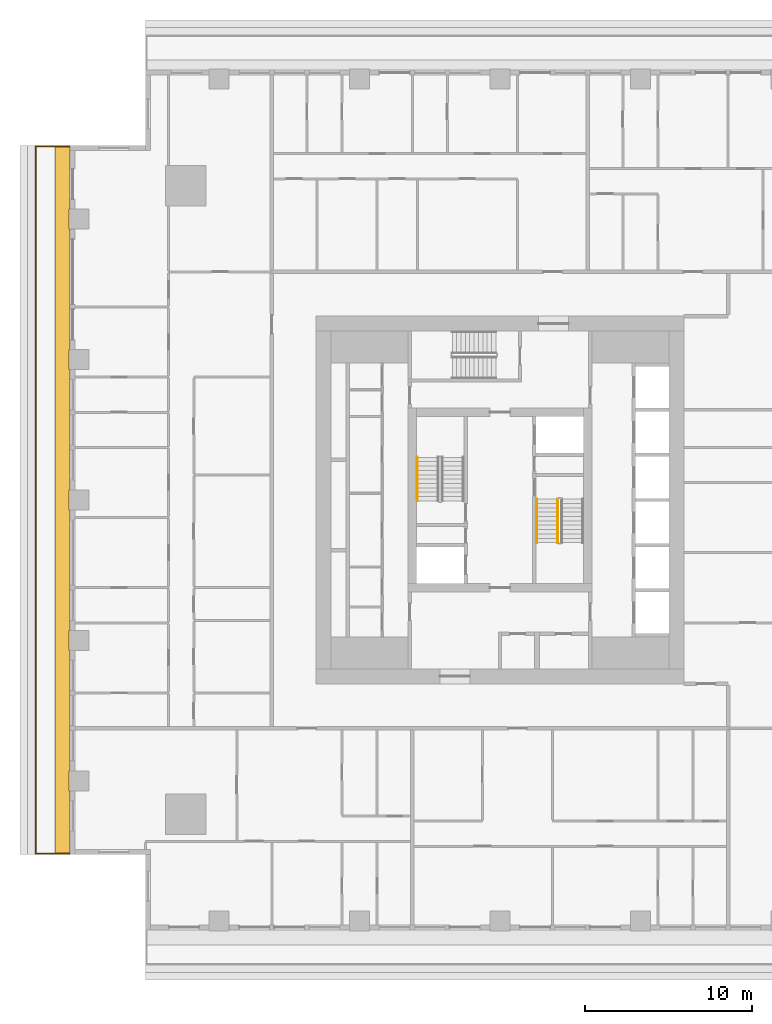
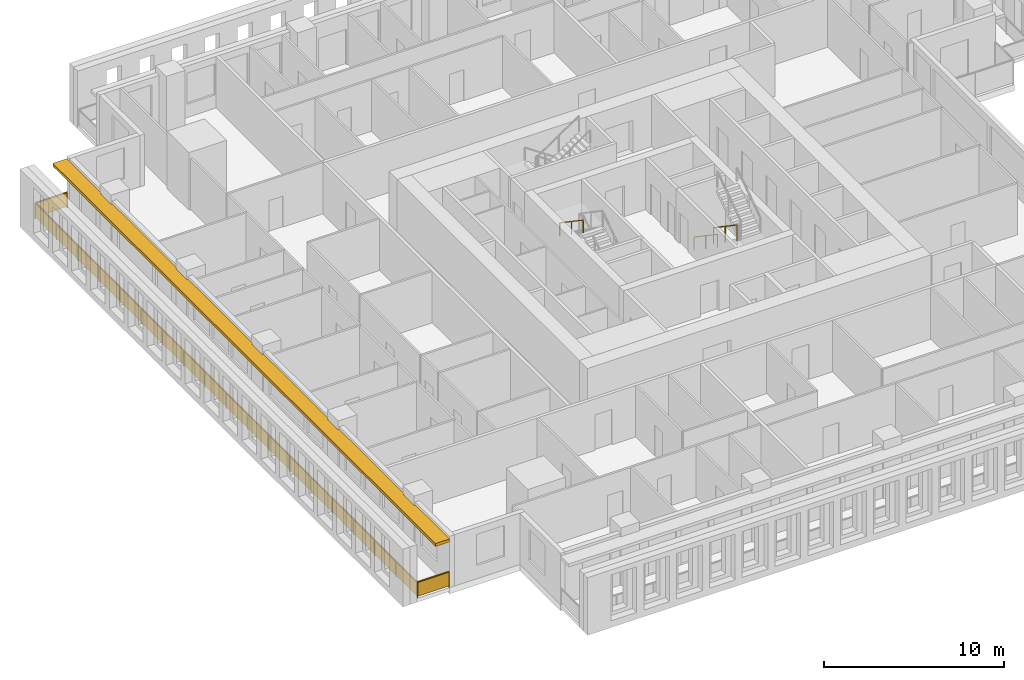
# One storey, part 12 of 16: 4 railings, 1 shading device.
"""IFC4 building model written with IfcOpenShell, lengths in metres."""

from ifc_helpers import new_model, si_unit, direction, frame, origin, origin_2d, place, context, subcontext, project, spatial, polyline, rectangle, outline, extrude, material, layer, layer_set, type_object, element, save


model = new_model("IFC4")

# Units and contexts
model_context = context("Model", 3, precision=1e-05, world=origin(), true_north=direction((0.0, 1.0)))
body_context = subcontext(model_context, "Body", "Model", "MODEL_VIEW")
ifc_project = project(units=[si_unit("LENGTHUNIT", "METRE"), si_unit("AREAUNIT", "SQUARE_METRE"), si_unit("VOLUMEUNIT", "CUBIC_METRE"), si_unit("PLANEANGLEUNIT", "RADIAN"), si_unit("MASSUNIT", "GRAM", prefix="KILO")], contexts=[model_context])

# Site, building, storey
site_placement = place(None, origin())
site = spatial("IfcSite", under=ifc_project, at=site_placement, CompositionType="ELEMENT")
building_placement = place(site_placement, origin())
building = spatial("IfcBuilding", under=site, at=building_placement, Name="Khepri Terraces", CompositionType="ELEMENT")
storey_placement = place(building_placement, frame((0.0, 0.0, 204.0)))
storey = spatial("IfcBuildingStorey", under=building, at=storey_placement, Name="L48", CompositionType="ELEMENT", Elevation=204.0)

# Railings
ifc_material_1 = material(Name="Stainless steel grade 316", Category="steel")
railing_type_1 = type_object("IfcRailingType", Name="GRD-BAL-1100", PredefinedType="GUARDRAIL", material=ifc_material_1)
railing_1_placement = place(storey_placement, frame((-25.719970703125, 21.169921875, 0.0)))
element("IfcRailing", 1, at=railing_1_placement, inside=storey, type_object=railing_type_1, Name="Balcony guard L48 W", PredefinedType="GUARDRAIL", context=body_context, shape_type="SweptSolid", body=[
    extrude(rectangle(XDim=0.050048828125, YDim=0.06005859375, at=origin_2d()), frame((0.0, 0.0, 1.070068359375), z_axis=(-1.0, 0.0, 0.0), x_axis=(0.0, -1.0, 0.0)), (0.0, 0.0, 1.0), 2.050048828125),
    extrude(rectangle(XDim=2.0, YDim=0.011962890625, at=origin_2d()), frame((-1.02490234375, 0.0, 0.10009765625), z_axis=(0.0, 0.0, 1.0), x_axis=(-1.0, 0.0, 0.0)), (0.0, 0.0, 1.0), 0.93994140625),
    extrude(rectangle(XDim=0.050048828125, YDim=0.06005859375, at=origin_2d()), frame((-2.050048828125, 0.0, 1.070068359375), z_axis=(0.0, -1.0, 0.0), x_axis=(1.0, 0.0, 0.0)), (0.0, 0.0, 1.0), 42.33984375),
    extrude(rectangle(XDim=2.30224609375, YDim=0.011962890625, at=origin_2d()), frame((-2.050048828125, -1.176025390625, 0.10009765625), z_axis=(0.0, 0.0, 1.0), x_axis=(0.0, -1.0, 0.0)), (0.0, 0.0, 1.0), 0.93994140625),
    extrude(rectangle(XDim=2.30224609375, YDim=0.011962890625, at=origin_2d()), frame((-2.050048828125, -3.5283203125, 0.10009765625), z_axis=(0.0, 0.0, 1.0), x_axis=(0.0, -1.0, 0.0)), (0.0, 0.0, 1.0), 0.93994140625),
    extrude(rectangle(XDim=2.30224609375, YDim=0.011962890625, at=origin_2d()), frame((-2.050048828125, -5.880615234375, 0.10009765625), z_axis=(0.0, 0.0, 1.0), x_axis=(0.0, -1.0, 0.0)), (0.0, 0.0, 1.0), 0.93994140625),
    extrude(rectangle(XDim=2.30224609375, YDim=0.011962890625, at=origin_2d()), frame((-2.050048828125, -8.232666015625, 0.10009765625), z_axis=(0.0, 0.0, 1.0), x_axis=(0.0, -1.0, 0.0)), (0.0, 0.0, 1.0), 0.93994140625),
    extrude(rectangle(XDim=2.30224609375, YDim=0.011962890625, at=origin_2d()), frame((-2.050048828125, -10.5849609375, 0.10009765625), z_axis=(0.0, 0.0, 1.0), x_axis=(0.0, -1.0, 0.0)), (0.0, 0.0, 1.0), 0.93994140625),
    extrude(rectangle(XDim=2.30224609375, YDim=0.011962890625, at=origin_2d()), frame((-2.050048828125, -12.937255859375, 0.10009765625), z_axis=(0.0, 0.0, 1.0), x_axis=(0.0, -1.0, 0.0)), (0.0, 0.0, 1.0), 0.93994140625),
    extrude(rectangle(XDim=2.30224609375, YDim=0.011962890625, at=origin_2d()), frame((-2.050048828125, -15.289306640625, 0.10009765625), z_axis=(0.0, 0.0, 1.0), x_axis=(0.0, -1.0, 0.0)), (0.0, 0.0, 1.0), 0.93994140625),
    extrude(rectangle(XDim=2.30224609375, YDim=0.011962890625, at=origin_2d()), frame((-2.050048828125, -17.6416015625, 0.10009765625), z_axis=(0.0, 0.0, 1.0), x_axis=(0.0, -1.0, 0.0)), (0.0, 0.0, 1.0), 0.93994140625),
    extrude(rectangle(XDim=2.30224609375, YDim=0.011962890625, at=origin_2d()), frame((-2.050048828125, -19.993896484375, 0.10009765625), z_axis=(0.0, 0.0, 1.0), x_axis=(0.0, -1.0, 0.0)), (0.0, 0.0, 1.0), 0.93994140625),
    extrude(rectangle(XDim=2.30224609375, YDim=0.011962890625, at=origin_2d()), frame((-2.050048828125, -22.345947265625, 0.10009765625), z_axis=(0.0, 0.0, 1.0), x_axis=(0.0, -1.0, 0.0)), (0.0, 0.0, 1.0), 0.93994140625),
    extrude(rectangle(XDim=2.30224609375, YDim=0.011962890625, at=origin_2d()), frame((-2.050048828125, -24.6982421875, 0.10009765625), z_axis=(0.0, 0.0, 1.0), x_axis=(0.0, -1.0, 0.0)), (0.0, 0.0, 1.0), 0.93994140625),
    extrude(rectangle(XDim=2.30224609375, YDim=0.011962890625, at=origin_2d()), frame((-2.050048828125, -27.050537109375, 0.10009765625), z_axis=(0.0, 0.0, 1.0), x_axis=(0.0, -1.0, 0.0)), (0.0, 0.0, 1.0), 0.93994140625),
    extrude(rectangle(XDim=2.30224609375, YDim=0.011962890625, at=origin_2d()), frame((-2.050048828125, -29.402587890625, 0.10009765625), z_axis=(0.0, 0.0, 1.0), x_axis=(0.0, -1.0, 0.0)), (0.0, 0.0, 1.0), 0.93994140625),
    extrude(rectangle(XDim=2.30224609375, YDim=0.011962890625, at=origin_2d()), frame((-2.050048828125, -31.7548828125, 0.10009765625), z_axis=(0.0, 0.0, 1.0), x_axis=(0.0, -1.0, 0.0)), (0.0, 0.0, 1.0), 0.93994140625),
    extrude(rectangle(XDim=2.30224609375, YDim=0.011962890625, at=origin_2d()), frame((-2.050048828125, -34.107177734375, 0.10009765625), z_axis=(0.0, 0.0, 1.0), x_axis=(0.0, -1.0, 0.0)), (0.0, 0.0, 1.0), 0.93994140625),
    extrude(rectangle(XDim=2.30224609375, YDim=0.011962890625, at=origin_2d()), frame((-2.050048828125, -36.459228515625, 0.10009765625), z_axis=(0.0, 0.0, 1.0), x_axis=(0.0, -1.0, 0.0)), (0.0, 0.0, 1.0), 0.93994140625),
    extrude(rectangle(XDim=2.30224609375, YDim=0.011962890625, at=origin_2d()), frame((-2.050048828125, -38.8115234375, 0.10009765625), z_axis=(0.0, 0.0, 1.0), x_axis=(0.0, -1.0, 0.0)), (0.0, 0.0, 1.0), 0.93994140625),
    extrude(rectangle(XDim=2.30224609375, YDim=0.011962890625, at=origin_2d()), frame((-2.050048828125, -41.163818359375, 0.10009765625), z_axis=(0.0, 0.0, 1.0), x_axis=(0.0, -1.0, 0.0)), (0.0, 0.0, 1.0), 0.93994140625),
    extrude(rectangle(XDim=0.050048828125, YDim=0.06005859375, at=origin_2d()), frame((-2.050048828125, -42.33984375, 1.070068359375), z_axis=(1.0, 0.0, 0.0), x_axis=(0.0, 1.0, 0.0)), (0.0, 0.0, 1.0), 2.050048828125),
    extrude(rectangle(XDim=2.0, YDim=0.011962890625, at=origin_2d()), frame((-1.02490234375, -42.33984375, 0.10009765625), z_axis=(0.0, 0.0, 1.0), x_axis=(1.0, 0.0, 0.0)), (0.0, 0.0, 1.0), 0.93994140625),
    extrude(rectangle(XDim=0.050048828125, YDim=0.050048828125, at=origin_2d()), origin(), (0.0, 0.0, 1.0), 1.0400390625),
    extrude(rectangle(XDim=0.050048828125, YDim=0.050048828125, at=origin_2d()), frame((-2.050048828125, 0.0, 0.0)), (0.0, 0.0, 1.0), 1.0400390625),
    extrude(rectangle(XDim=0.050048828125, YDim=0.050048828125, at=origin_2d()), frame((-2.050048828125, -2.352294921875, 0.0)), (0.0, 0.0, 1.0), 1.0400390625),
    extrude(rectangle(XDim=0.050048828125, YDim=0.050048828125, at=origin_2d()), frame((-2.050048828125, -4.704345703125, 0.0)), (0.0, 0.0, 1.0), 1.0400390625),
    extrude(rectangle(XDim=0.050048828125, YDim=0.050048828125, at=origin_2d()), frame((-2.050048828125, -7.056640625, 0.0)), (0.0, 0.0, 1.0), 1.0400390625),
    extrude(rectangle(XDim=0.050048828125, YDim=0.050048828125, at=origin_2d()), frame((-2.050048828125, -9.408935546875, 0.0)), (0.0, 0.0, 1.0), 1.0400390625),
    extrude(rectangle(XDim=0.050048828125, YDim=0.050048828125, at=origin_2d()), frame((-2.050048828125, -11.760986328125, 0.0)), (0.0, 0.0, 1.0), 1.0400390625),
    extrude(rectangle(XDim=0.050048828125, YDim=0.050048828125, at=origin_2d()), frame((-2.050048828125, -14.11328125, 0.0)), (0.0, 0.0, 1.0), 1.0400390625),
    extrude(rectangle(XDim=0.050048828125, YDim=0.050048828125, at=origin_2d()), frame((-2.050048828125, -16.465576171875, 0.0)), (0.0, 0.0, 1.0), 1.0400390625),
    extrude(rectangle(XDim=0.050048828125, YDim=0.050048828125, at=origin_2d()), frame((-2.050048828125, -18.817626953125, 0.0)), (0.0, 0.0, 1.0), 1.0400390625),
    extrude(rectangle(XDim=0.050048828125, YDim=0.050048828125, at=origin_2d()), frame((-2.050048828125, -21.169921875, 0.0)), (0.0, 0.0, 1.0), 1.0400390625),
    extrude(rectangle(XDim=0.050048828125, YDim=0.050048828125, at=origin_2d()), frame((-2.050048828125, -23.522216796875, 0.0)), (0.0, 0.0, 1.0), 1.0400390625),
    extrude(rectangle(XDim=0.050048828125, YDim=0.050048828125, at=origin_2d()), frame((-2.050048828125, -25.874267578125, 0.0)), (0.0, 0.0, 1.0), 1.0400390625),
    extrude(rectangle(XDim=0.050048828125, YDim=0.050048828125, at=origin_2d()), frame((-2.050048828125, -28.2265625, 0.0)), (0.0, 0.0, 1.0), 1.0400390625),
    extrude(rectangle(XDim=0.050048828125, YDim=0.050048828125, at=origin_2d()), frame((-2.050048828125, -30.578857421875, 0.0)), (0.0, 0.0, 1.0), 1.0400390625),
    extrude(rectangle(XDim=0.050048828125, YDim=0.050048828125, at=origin_2d()), frame((-2.050048828125, -32.930908203125, 0.0)), (0.0, 0.0, 1.0), 1.0400390625),
    extrude(rectangle(XDim=0.050048828125, YDim=0.050048828125, at=origin_2d()), frame((-2.050048828125, -35.283203125, 0.0)), (0.0, 0.0, 1.0), 1.0400390625),
    extrude(rectangle(XDim=0.050048828125, YDim=0.050048828125, at=origin_2d()), frame((-2.050048828125, -37.635498046875, 0.0)), (0.0, 0.0, 1.0), 1.0400390625),
    extrude(rectangle(XDim=0.050048828125, YDim=0.050048828125, at=origin_2d()), frame((-2.050048828125, -39.987548828125, 0.0)), (0.0, 0.0, 1.0), 1.0400390625),
    extrude(rectangle(XDim=0.050048828125, YDim=0.050048828125, at=origin_2d()), frame((-2.050048828125, -42.33984375, 0.0)), (0.0, 0.0, 1.0), 1.0400390625),
    extrude(rectangle(XDim=0.050048828125, YDim=0.050048828125, at=origin_2d()), frame((0.0, -42.33984375, 0.0)), (0.0, 0.0, 1.0), 1.0400390625),
])
ifc_material_2 = material(Name="Stainless steel 316", Category="steel")
railing_type_2 = type_object("IfcRailingType", Name="RL-CORE-GUARD", PredefinedType="GUARDRAIL", material=ifc_material_2)
railing_2_placement = place(storey_placement, frame((3.449951171875, 0.050048828125, 0.17724609375)))
element("IfcRailing", 2, at=railing_2_placement, inside=storey, type_object=railing_type_2, Name="L48 ST-2 stair guard 1", PredefinedType="GUARDRAIL", context=body_context, shape_type="SweptSolid", body=[
    extrude(rectangle(XDim=0.050048828125, YDim=0.06005859375, at=origin_2d()), frame((0.0, 0.0, 1.070068359375), z_axis=(0.0, -0.826240473404, 0.563317565952), x_axis=(1.0, 0.0, 0.0)), (0.0, 0.0, 1.0), 3.14697265625),
    extrude(rectangle(XDim=0.050048828125, YDim=0.050048828125, at=origin_2d()), origin(), (0.0, 0.0, 1.0), 1.0400390625),
    extrude(rectangle(XDim=0.050048828125, YDim=0.050048828125, at=origin_2d()), frame((0.0, -1.300048828125, 0.88623046875)), (0.0, 0.0, 1.0), 1.0400390625),
    extrude(rectangle(XDim=0.050048828125, YDim=0.050048828125, at=origin_2d()), frame((0.0, -2.60009765625, 1.772705078125)), (0.0, 0.0, 1.0), 1.0400390625),
])
railing_type_3 = type_object("IfcRailingType", Name="RL-CORE-HANDRAIL", PredefinedType="HANDRAIL", material=ifc_material_2)
for number, where, name in (
    (3, (-4.949951171875, 2.550048828125, 2.127197265625), "L48 ST-1 stair handrail 2"),
    (4, (2.199951171875, 0.050048828125, 0.17724609375), "L48 ST-2 stair handrail 1"),
):
    element("IfcRailing", number, at=place(storey_placement, frame(where)), inside=storey, type_object=railing_type_3, Name=name, PredefinedType="HANDRAIL", context=body_context, shape_type="SweptSolid", body=[
        extrude(rectangle(XDim=0.050048828125, YDim=0.050048828125, at=origin_2d()), frame((0.0, 0.0, 0.875), z_axis=(0.0, -0.826240473404, 0.563317565952), x_axis=(1.0, 0.0, 0.0)), (0.0, 0.0, 1.0), 3.14697265625),
        extrude(rectangle(XDim=0.050048828125, YDim=0.050048828125, at=origin_2d()), origin(), (0.0, 0.0, 1.0), 0.849853515625),
        extrude(rectangle(XDim=0.050048828125, YDim=0.050048828125, at=origin_2d()), frame((0.0, -1.300048828125, 0.88623046875)), (0.0, 0.0, 1.0), 0.849853515625),
        extrude(rectangle(XDim=0.050048828125, YDim=0.050048828125, at=origin_2d()), frame((0.0, -2.60009765625, 1.772705078125)), (0.0, 0.0, 1.0), 0.849853515625),
    ])

# Shading device
ifc_material_3 = material(Name="Precast concrete C50/60 warm stone", Category="masonry")
ifc_layer = layer(ifc_material_3, 0.199951171875, Name="Precast concrete C50/60 warm stone", Category="masonry")
ifc_layer_set = layer_set([ifc_layer], Name="Precast concrete C50/60 warm stone")
shading_device_type = type_object("IfcShadingDeviceType", Name="SSH-BAND-STONE-200", PredefinedType="USERDEFINED", material=ifc_layer_set)
shading_device_placement = place(storey_placement, frame((0.0, 0.0, 3.10009765625)))
element("IfcShadingDevice", 5, at=shading_device_placement, inside=storey, type_object=shading_device_type, Name="Sunshade band L48 W", ObjectType="SUNSHADE", PredefinedType="USERDEFINED", context=body_context, shape_type="SweptSolid", body=[
    extrude(outline(polyline([(-25.719970703125, 17.39990234375), (-25.719970703125, 21.219970703125), (-26.6201171875, 21.219970703125), (-26.6201171875, -21.219970703125), (-25.719970703125, -21.219970703125), (-25.719970703125, -17.39990234375), (-25.800048828125, -17.39990234375), (-25.800048828125, -16.199951171875), (-25.719970703125, -16.199951171875), (-25.719970703125, -9.0), (-25.800048828125, -9.0), (-25.800048828125, -7.800048828125), (-25.719970703125, -7.800048828125), (-25.719970703125, -0.60009765625), (-25.800048828125, -0.60009765625), (-25.800048828125, 0.60009765625), (-25.719970703125, 0.60009765625), (-25.719970703125, 7.800048828125), (-25.800048828125, 7.800048828125), (-25.800048828125, 9.0), (-25.719970703125, 9.0), (-25.719970703125, 16.199951171875), (-25.800048828125, 16.199951171875), (-25.800048828125, 17.39990234375), (-25.719970703125, 17.39990234375)])), origin(), (0.0, 0.0, 1.0), 0.199951171875),
])

save(model, "model.ifc")
